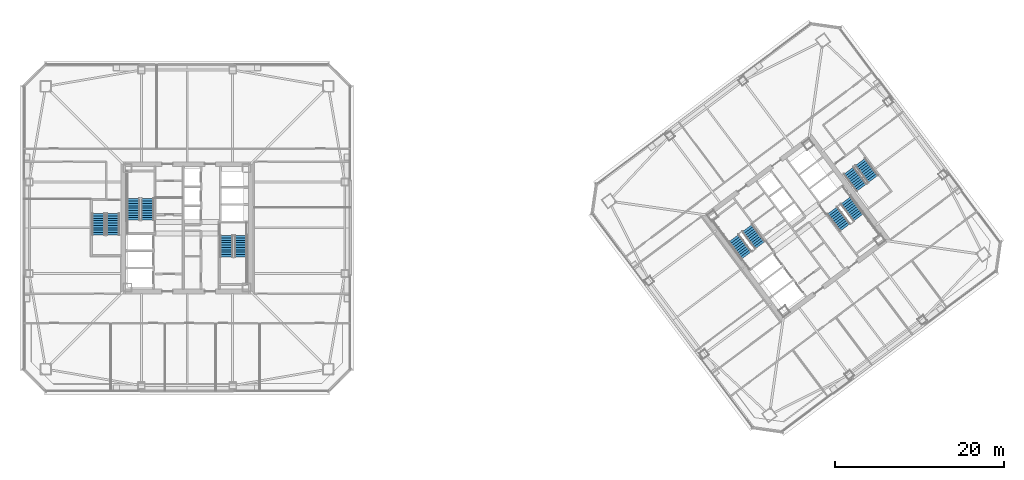
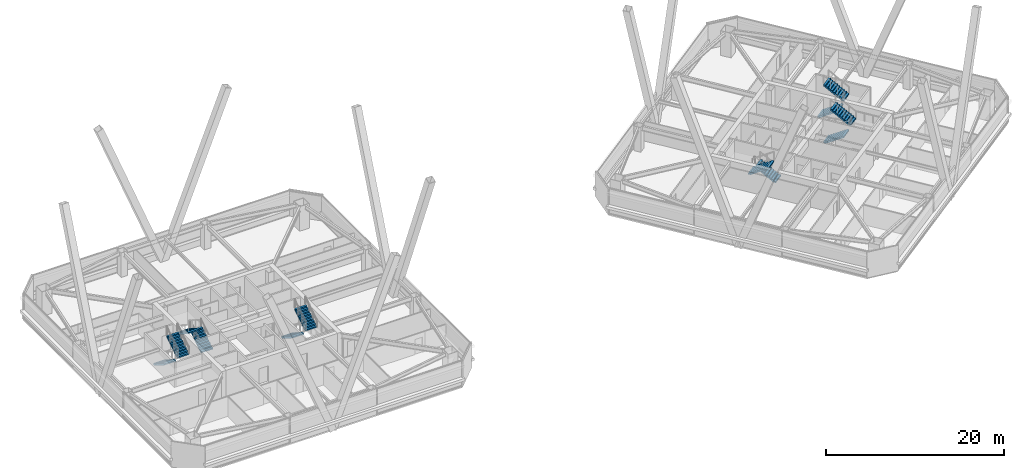
# One storey, part 44 of 50: 12 stair flights, 6 elements without a shape of their own.
"""IFC4 building model written with IfcOpenShell, lengths in metres."""

from ifc_helpers import new_model, si_unit, direction, frame, origin, place, context, subcontext, project, spatial, polyline, outline, extrude, material, type_object, element, aggregate, save


model = new_model("IFC4")

# Units and contexts
model_context = context("Model", 3, precision=1e-05, world=origin(), true_north=direction((0.0, 1.0)))
body_context = subcontext(model_context, "Body", "Model", "MODEL_VIEW")
ifc_project = project(units=[si_unit("LENGTHUNIT", "METRE"), si_unit("AREAUNIT", "SQUARE_METRE"), si_unit("VOLUMEUNIT", "CUBIC_METRE"), si_unit("PLANEANGLEUNIT", "RADIAN"), si_unit("MASSUNIT", "GRAM", prefix="KILO")], contexts=[model_context])

# Site, building, storey
site_placement = place(None, origin())
site = spatial("IfcSite", under=ifc_project, at=site_placement, CompositionType="ELEMENT")
building_placement = place(site_placement, origin())
building = spatial("IfcBuilding", under=site, at=building_placement, Name="Tashvorn Skyway Center", CompositionType="ELEMENT")
storey_placement = place(building_placement, frame((0.0, 0.0, 114.39990234375)))
storey = spatial("IfcBuildingStorey", under=building, at=storey_placement, Name="L30", CompositionType="ELEMENT", Elevation=114.39990234375)

# Stair, stair flights
ifc_material = material(Name="Concrete C40/50", Category="concrete")
stair_type = type_object("IfcStairType", Name="STAIR-CORE-1500", PredefinedType="HALF_TURN_STAIR", material=ifc_material)
stair_1_placement = place(storey_placement, origin())
stair_1 = element("IfcStair", 1, at=stair_1_placement, inside=storey, type_object=stair_type, Name="L30 Tower 1 Exit Stair 1", PredefinedType="HALF_TURN_STAIR")
stair_flight_type = type_object("IfcStairFlightType", Name="SFLIGHT-1500", PredefinedType="STRAIGHT", material=ifc_material)
stair_flight_1_placement = place(storey_placement, frame((37.35009765625, 32.919921875, 0.0), z_axis=(0.0, 0.0, 1.0), x_axis=(0.0, 1.0, 0.0)))
stair_flight_1 = element("IfcStairFlight", 2, at=stair_flight_1_placement, type_object=stair_flight_type, Name="ST-T1-1 flight 1", NumberOfRisers=10, NumberOfTreads=9, PredefinedType="STRAIGHT", RiserHeight=0.1775, TreadLength=0.28, context=body_context, shape_type="SweptSolid", body=[
    extrude(outline(polyline([(0.0, 0.0), (0.0, 0.177490234375), (0.280029296875, 0.177490234375), (0.280029296875, 0.35498046875), (0.56005859375, 0.35498046875), (0.56005859375, 0.532470703125), (0.840087890625, 0.532470703125), (0.840087890625, 0.7099609375), (1.1201171875, 0.7099609375), (1.1201171875, 0.887451171875), (1.39990234375, 0.887451171875), (1.39990234375, 1.06494140625), (1.679931640625, 1.06494140625), (1.679931640625, 1.242431640625), (1.9599609375, 1.242431640625), (1.9599609375, 1.419921875), (2.239990234375, 1.419921875), (2.239990234375, 1.597412109375), (2.52001953125, 1.597412109375), (2.52001953125, 1.77490234375), (2.52001953125, 1.419921875), (0.280029296875, 0.0), (0.0, 0.0)])), frame((0.0, 0.75, 0.0), z_axis=(0.0, -1.0, 0.0), x_axis=(1.0, 0.0, 0.0)), (0.0, 0.0, 1.0), 1.5),
])
stair_flight_2_placement = place(storey_placement, frame((35.64990234375, 35.43994140625, 1.775146484375), z_axis=(0.0, 0.0, 1.0), x_axis=(0.0, -1.0, 0.0)))
stair_flight_2 = element("IfcStairFlight", 3, at=stair_flight_2_placement, type_object=stair_flight_type, Name="ST-T1-1 flight 2", NumberOfRisers=10, NumberOfTreads=9, PredefinedType="STRAIGHT", RiserHeight=0.1775, TreadLength=0.28, context=body_context, shape_type="SweptSolid", body=[
    extrude(outline(polyline([(0.0, 0.0), (0.0, 0.177490234375), (0.280029296875, 0.177490234375), (0.280029296875, 0.35498046875), (0.56005859375, 0.35498046875), (0.56005859375, 0.532470703125), (0.840087890625, 0.532470703125), (0.840087890625, 0.7099609375), (1.1201171875, 0.7099609375), (1.1201171875, 0.887451171875), (1.39990234375, 0.887451171875), (1.39990234375, 1.06494140625), (1.679931640625, 1.06494140625), (1.679931640625, 1.242431640625), (1.9599609375, 1.242431640625), (1.9599609375, 1.419921875), (2.239990234375, 1.419921875), (2.239990234375, 1.597412109375), (2.52001953125, 1.597412109375), (2.52001953125, 1.77490234375), (2.52001953125, 1.419921875), (0.280029296875, 0.0), (0.0, 0.0)])), frame((0.0, 0.75, 0.0), z_axis=(0.0, -1.0, 0.0), x_axis=(1.0, 0.0, 0.0)), (0.0, 0.0, 1.0), 1.5),
])
aggregate(stair_1, [stair_flight_1, stair_flight_2])

stair_2_placement = place(storey_placement, origin())
stair_2 = element("IfcStair", 4, at=stair_2_placement, inside=storey, type_object=stair_type, Name="L30 Tower 1 Exit Stair 2", PredefinedType="HALF_TURN_STAIR")
stair_flight_3_placement = place(storey_placement, frame((46.64990234375, 31.080078125, 0.0), z_axis=(0.0, 0.0, 1.0), x_axis=(0.0, -1.0, 0.0)))
stair_flight_3 = element("IfcStairFlight", 5, at=stair_flight_3_placement, type_object=stair_flight_type, Name="ST-T1-2 flight 1", NumberOfRisers=10, NumberOfTreads=9, PredefinedType="STRAIGHT", RiserHeight=0.1775, TreadLength=0.28, context=body_context, shape_type="SweptSolid", body=[
    extrude(outline(polyline([(0.0, 0.0), (0.0, 0.177490234375), (0.280029296875, 0.177490234375), (0.280029296875, 0.35498046875), (0.56005859375, 0.35498046875), (0.56005859375, 0.532470703125), (0.840087890625, 0.532470703125), (0.840087890625, 0.7099609375), (1.1201171875, 0.7099609375), (1.1201171875, 0.887451171875), (1.39990234375, 0.887451171875), (1.39990234375, 1.06494140625), (1.679931640625, 1.06494140625), (1.679931640625, 1.242431640625), (1.9599609375, 1.242431640625), (1.9599609375, 1.419921875), (2.239990234375, 1.419921875), (2.239990234375, 1.597412109375), (2.52001953125, 1.597412109375), (2.52001953125, 1.77490234375), (2.52001953125, 1.419921875), (0.280029296875, 0.0), (0.0, 0.0)])), frame((0.0, 0.75, 0.0), z_axis=(0.0, -1.0, 0.0), x_axis=(1.0, 0.0, 0.0)), (0.0, 0.0, 1.0), 1.5),
])
stair_flight_4_placement = place(storey_placement, frame((48.35009765625, 28.56005859375, 1.775146484375), z_axis=(0.0, 0.0, 1.0), x_axis=(0.0, 1.0, 0.0)))
stair_flight_4 = element("IfcStairFlight", 6, at=stair_flight_4_placement, type_object=stair_flight_type, Name="ST-T1-2 flight 2", NumberOfRisers=10, NumberOfTreads=9, PredefinedType="STRAIGHT", RiserHeight=0.1775, TreadLength=0.28, context=body_context, shape_type="SweptSolid", body=[
    extrude(outline(polyline([(0.0, 0.0), (0.0, 0.177490234375), (0.280029296875, 0.177490234375), (0.280029296875, 0.35498046875), (0.56005859375, 0.35498046875), (0.56005859375, 0.532470703125), (0.840087890625, 0.532470703125), (0.840087890625, 0.7099609375), (1.1201171875, 0.7099609375), (1.1201171875, 0.887451171875), (1.39990234375, 0.887451171875), (1.39990234375, 1.06494140625), (1.679931640625, 1.06494140625), (1.679931640625, 1.242431640625), (1.9599609375, 1.242431640625), (1.9599609375, 1.419921875), (2.239990234375, 1.419921875), (2.239990234375, 1.597412109375), (2.52001953125, 1.597412109375), (2.52001953125, 1.77490234375), (2.52001953125, 1.419921875), (0.280029296875, 0.0), (0.0, 0.0)])), frame((0.0, 0.75, 0.0), z_axis=(0.0, -1.0, 0.0), x_axis=(1.0, 0.0, 0.0)), (0.0, 0.0, 1.0), 1.5),
])
aggregate(stair_2, [stair_flight_3, stair_flight_4])

stair_3_placement = place(storey_placement, origin())
stair_3 = element("IfcStair", 7, at=stair_3_placement, inside=storey, type_object=stair_type, Name="L30 Tower 2 Exit Stair 1", PredefinedType="HALF_TURN_STAIR")
stair_flight_5_placement = place(storey_placement, frame((109.72802734375, 29.946044921875, 0.0), z_axis=(0.0, 0.0, 1.0), x_axis=(-0.600000004945, 0.799999996291, 0.0)))
stair_flight_5 = element("IfcStairFlight", 8, at=stair_flight_5_placement, type_object=stair_flight_type, Name="ST-T2-1 flight 1", NumberOfRisers=10, NumberOfTreads=9, PredefinedType="STRAIGHT", RiserHeight=0.1775, TreadLength=0.28, context=body_context, shape_type="SweptSolid", body=[
    extrude(outline(polyline([(0.0, 0.0), (0.0, 0.177490234375), (0.280029296875, 0.177490234375), (0.280029296875, 0.35498046875), (0.56005859375, 0.35498046875), (0.56005859375, 0.532470703125), (0.840087890625, 0.532470703125), (0.840087890625, 0.7099609375), (1.1201171875, 0.7099609375), (1.1201171875, 0.887451171875), (1.39990234375, 0.887451171875), (1.39990234375, 1.06494140625), (1.679931640625, 1.06494140625), (1.679931640625, 1.242431640625), (1.9599609375, 1.242431640625), (1.9599609375, 1.419921875), (2.239990234375, 1.419921875), (2.239990234375, 1.597412109375), (2.52001953125, 1.597412109375), (2.52001953125, 1.77490234375), (2.52001953125, 1.419921875), (0.280029296875, 0.0), (0.0, 0.0)])), frame((0.0, 0.75, 0.0), z_axis=(0.0, -1.0, 0.0), x_axis=(1.0, 0.0, 0.0)), (0.0, 0.0, 1.0), 1.5),
])
stair_flight_6_placement = place(storey_placement, frame((106.632080078125, 30.77392578125, 1.775146484375), z_axis=(0.0, 0.0, 1.0), x_axis=(0.600000004945, -0.799999996291, 0.0)))
stair_flight_6 = element("IfcStairFlight", 9, at=stair_flight_6_placement, type_object=stair_flight_type, Name="ST-T2-1 flight 2", NumberOfRisers=10, NumberOfTreads=9, PredefinedType="STRAIGHT", RiserHeight=0.1775, TreadLength=0.28, context=body_context, shape_type="SweptSolid", body=[
    extrude(outline(polyline([(0.0, 0.0), (0.0, 0.177490234375), (0.280029296875, 0.177490234375), (0.280029296875, 0.35498046875), (0.56005859375, 0.35498046875), (0.56005859375, 0.532470703125), (0.840087890625, 0.532470703125), (0.840087890625, 0.7099609375), (1.1201171875, 0.7099609375), (1.1201171875, 0.887451171875), (1.39990234375, 0.887451171875), (1.39990234375, 1.06494140625), (1.679931640625, 1.06494140625), (1.679931640625, 1.242431640625), (1.9599609375, 1.242431640625), (1.9599609375, 1.419921875), (2.239990234375, 1.419921875), (2.239990234375, 1.597412109375), (2.52001953125, 1.597412109375), (2.52001953125, 1.77490234375), (2.52001953125, 1.419921875), (0.280029296875, 0.0), (0.0, 0.0)])), frame((0.0, 0.75, 0.0), z_axis=(0.0, -1.0, 0.0), x_axis=(1.0, 0.0, 0.0)), (0.0, 0.0, 1.0), 1.5),
])
aggregate(stair_3, [stair_flight_5, stair_flight_6])

stair_4_placement = place(storey_placement, origin())
stair_4 = element("IfcStair", 10, at=stair_4_placement, inside=storey, type_object=stair_type, Name="L30 Tower 2 Exit Stair 2", PredefinedType="HALF_TURN_STAIR")
stair_flight_7_placement = place(storey_placement, frame((118.27197265625, 34.053955078125, 0.0), z_axis=(0.0, 0.0, 1.0), x_axis=(0.600000004945, -0.799999996291, 0.0)))
stair_flight_7 = element("IfcStairFlight", 11, at=stair_flight_7_placement, type_object=stair_flight_type, Name="ST-T2-2 flight 1", NumberOfRisers=10, NumberOfTreads=9, PredefinedType="STRAIGHT", RiserHeight=0.1775, TreadLength=0.28, context=body_context, shape_type="SweptSolid", body=[
    extrude(outline(polyline([(0.0, 0.0), (0.0, 0.177490234375), (0.280029296875, 0.177490234375), (0.280029296875, 0.35498046875), (0.56005859375, 0.35498046875), (0.56005859375, 0.532470703125), (0.840087890625, 0.532470703125), (0.840087890625, 0.7099609375), (1.1201171875, 0.7099609375), (1.1201171875, 0.887451171875), (1.39990234375, 0.887451171875), (1.39990234375, 1.06494140625), (1.679931640625, 1.06494140625), (1.679931640625, 1.242431640625), (1.9599609375, 1.242431640625), (1.9599609375, 1.419921875), (2.239990234375, 1.419921875), (2.239990234375, 1.597412109375), (2.52001953125, 1.597412109375), (2.52001953125, 1.77490234375), (2.52001953125, 1.419921875), (0.280029296875, 0.0), (0.0, 0.0)])), frame((0.0, 0.75, 0.0), z_axis=(0.0, -1.0, 0.0), x_axis=(1.0, 0.0, 0.0)), (0.0, 0.0, 1.0), 1.5),
])
stair_flight_8_placement = place(storey_placement, frame((121.367919921875, 33.22607421875, 1.775146484375), z_axis=(0.0, 0.0, 1.0), x_axis=(-0.600000004945, 0.799999996291, 0.0)))
stair_flight_8 = element("IfcStairFlight", 12, at=stair_flight_8_placement, type_object=stair_flight_type, Name="ST-T2-2 flight 2", NumberOfRisers=10, NumberOfTreads=9, PredefinedType="STRAIGHT", RiserHeight=0.1775, TreadLength=0.28, context=body_context, shape_type="SweptSolid", body=[
    extrude(outline(polyline([(0.0, 0.0), (0.0, 0.177490234375), (0.280029296875, 0.177490234375), (0.280029296875, 0.35498046875), (0.56005859375, 0.35498046875), (0.56005859375, 0.532470703125), (0.840087890625, 0.532470703125), (0.840087890625, 0.7099609375), (1.1201171875, 0.7099609375), (1.1201171875, 0.887451171875), (1.39990234375, 0.887451171875), (1.39990234375, 1.06494140625), (1.679931640625, 1.06494140625), (1.679931640625, 1.242431640625), (1.9599609375, 1.242431640625), (1.9599609375, 1.419921875), (2.239990234375, 1.419921875), (2.239990234375, 1.597412109375), (2.52001953125, 1.597412109375), (2.52001953125, 1.77490234375), (2.52001953125, 1.419921875), (0.280029296875, 0.0), (0.0, 0.0)])), frame((0.0, 0.75, 0.0), z_axis=(0.0, -1.0, 0.0), x_axis=(1.0, 0.0, 0.0)), (0.0, 0.0, 1.0), 1.5),
])
aggregate(stair_4, [stair_flight_7, stair_flight_8])

stair_5_placement = place(storey_placement, origin())
stair_5 = element("IfcStair", 13, at=stair_5_placement, inside=storey, type_object=stair_type, Name="L30 Tower 1 Exit Stair 3", PredefinedType="HALF_TURN_STAIR")
stair_flight_9_placement = place(storey_placement, frame((31.550048828125, 33.679931640625, 0.0), z_axis=(0.0, 0.0, 1.0), x_axis=(0.0, -1.0, 0.0)))
stair_flight_9 = element("IfcStairFlight", 14, at=stair_flight_9_placement, type_object=stair_flight_type, Name="ST-T1-3 flight 1", NumberOfRisers=10, NumberOfTreads=9, PredefinedType="STRAIGHT", RiserHeight=0.1775, TreadLength=0.28, context=body_context, shape_type="SweptSolid", body=[
    extrude(outline(polyline([(0.0, 0.0), (0.0, 0.177490234375), (0.280029296875, 0.177490234375), (0.280029296875, 0.35498046875), (0.56005859375, 0.35498046875), (0.56005859375, 0.532470703125), (0.840087890625, 0.532470703125), (0.840087890625, 0.7099609375), (1.1201171875, 0.7099609375), (1.1201171875, 0.887451171875), (1.39990234375, 0.887451171875), (1.39990234375, 1.06494140625), (1.679931640625, 1.06494140625), (1.679931640625, 1.242431640625), (1.9599609375, 1.242431640625), (1.9599609375, 1.419921875), (2.239990234375, 1.419921875), (2.239990234375, 1.597412109375), (2.52001953125, 1.597412109375), (2.52001953125, 1.77490234375), (2.52001953125, 1.419921875), (0.280029296875, 0.0), (0.0, 0.0)])), frame((0.0, 0.75, 0.0), z_axis=(0.0, -1.0, 0.0), x_axis=(1.0, 0.0, 0.0)), (0.0, 0.0, 1.0), 1.5),
])
stair_flight_10_placement = place(storey_placement, frame((33.25, 31.159912109375, 1.775146484375), z_axis=(0.0, 0.0, 1.0), x_axis=(0.0, 1.0, 0.0)))
stair_flight_10 = element("IfcStairFlight", 15, at=stair_flight_10_placement, type_object=stair_flight_type, Name="ST-T1-3 flight 2", NumberOfRisers=10, NumberOfTreads=9, PredefinedType="STRAIGHT", RiserHeight=0.1775, TreadLength=0.28, context=body_context, shape_type="SweptSolid", body=[
    extrude(outline(polyline([(0.0, 0.0), (0.0, 0.177490234375), (0.280029296875, 0.177490234375), (0.280029296875, 0.35498046875), (0.56005859375, 0.35498046875), (0.56005859375, 0.532470703125), (0.840087890625, 0.532470703125), (0.840087890625, 0.7099609375), (1.1201171875, 0.7099609375), (1.1201171875, 0.887451171875), (1.39990234375, 0.887451171875), (1.39990234375, 1.06494140625), (1.679931640625, 1.06494140625), (1.679931640625, 1.242431640625), (1.9599609375, 1.242431640625), (1.9599609375, 1.419921875), (2.239990234375, 1.419921875), (2.239990234375, 1.597412109375), (2.52001953125, 1.597412109375), (2.52001953125, 1.77490234375), (2.52001953125, 1.419921875), (0.280029296875, 0.0), (0.0, 0.0)])), frame((0.0, 0.75, 0.0), z_axis=(0.0, -1.0, 0.0), x_axis=(1.0, 0.0, 0.0)), (0.0, 0.0, 1.0), 1.5),
])
aggregate(stair_5, [stair_flight_9, stair_flight_10])

stair_6_placement = place(storey_placement, origin())
stair_6 = element("IfcStair", 16, at=stair_6_placement, inside=storey, type_object=stair_type, Name="L30 Tower 2 Exit Stair 3", PredefinedType="HALF_TURN_STAIR")
stair_flight_11_placement = place(storey_placement, frame((120.216064453125, 38.761962890625, 0.0), z_axis=(0.0, 0.0, 1.0), x_axis=(0.600000004945, -0.799999996291, 0.0)))
stair_flight_11 = element("IfcStairFlight", 17, at=stair_flight_11_placement, type_object=stair_flight_type, Name="ST-T2-3 flight 1", NumberOfRisers=10, NumberOfTreads=9, PredefinedType="STRAIGHT", RiserHeight=0.1775, TreadLength=0.28, context=body_context, shape_type="SweptSolid", body=[
    extrude(outline(polyline([(0.0, 0.0), (0.0, 0.177490234375), (0.280029296875, 0.177490234375), (0.280029296875, 0.35498046875), (0.56005859375, 0.35498046875), (0.56005859375, 0.532470703125), (0.840087890625, 0.532470703125), (0.840087890625, 0.7099609375), (1.1201171875, 0.7099609375), (1.1201171875, 0.887451171875), (1.39990234375, 0.887451171875), (1.39990234375, 1.06494140625), (1.679931640625, 1.06494140625), (1.679931640625, 1.242431640625), (1.9599609375, 1.242431640625), (1.9599609375, 1.419921875), (2.239990234375, 1.419921875), (2.239990234375, 1.597412109375), (2.52001953125, 1.597412109375), (2.52001953125, 1.77490234375), (2.52001953125, 1.419921875), (0.280029296875, 0.0), (0.0, 0.0)])), frame((0.0, 0.75, 0.0), z_axis=(0.0, -1.0, 0.0), x_axis=(1.0, 0.0, 0.0)), (0.0, 0.0, 1.0), 1.5),
])
stair_flight_12_placement = place(storey_placement, frame((123.087890625, 37.76611328125, 1.775146484375), z_axis=(0.0, 0.0, 1.0), x_axis=(-0.600000004945, 0.799999996291, 0.0)))
stair_flight_12 = element("IfcStairFlight", 18, at=stair_flight_12_placement, type_object=stair_flight_type, Name="ST-T2-3 flight 2", NumberOfRisers=10, NumberOfTreads=9, PredefinedType="STRAIGHT", RiserHeight=0.1775, TreadLength=0.28, context=body_context, shape_type="SweptSolid", body=[
    extrude(outline(polyline([(0.0, 0.0), (0.0, 0.177490234375), (0.280029296875, 0.177490234375), (0.280029296875, 0.35498046875), (0.56005859375, 0.35498046875), (0.56005859375, 0.532470703125), (0.840087890625, 0.532470703125), (0.840087890625, 0.7099609375), (1.1201171875, 0.7099609375), (1.1201171875, 0.887451171875), (1.39990234375, 0.887451171875), (1.39990234375, 1.06494140625), (1.679931640625, 1.06494140625), (1.679931640625, 1.242431640625), (1.9599609375, 1.242431640625), (1.9599609375, 1.419921875), (2.239990234375, 1.419921875), (2.239990234375, 1.597412109375), (2.52001953125, 1.597412109375), (2.52001953125, 1.77490234375), (2.52001953125, 1.419921875), (0.280029296875, 0.0), (0.0, 0.0)])), frame((0.0, 0.75, 0.0), z_axis=(0.0, -1.0, 0.0), x_axis=(1.0, 0.0, 0.0)), (0.0, 0.0, 1.0), 1.5),
])
aggregate(stair_6, [stair_flight_11, stair_flight_12])

save(model, "model.ifc")
